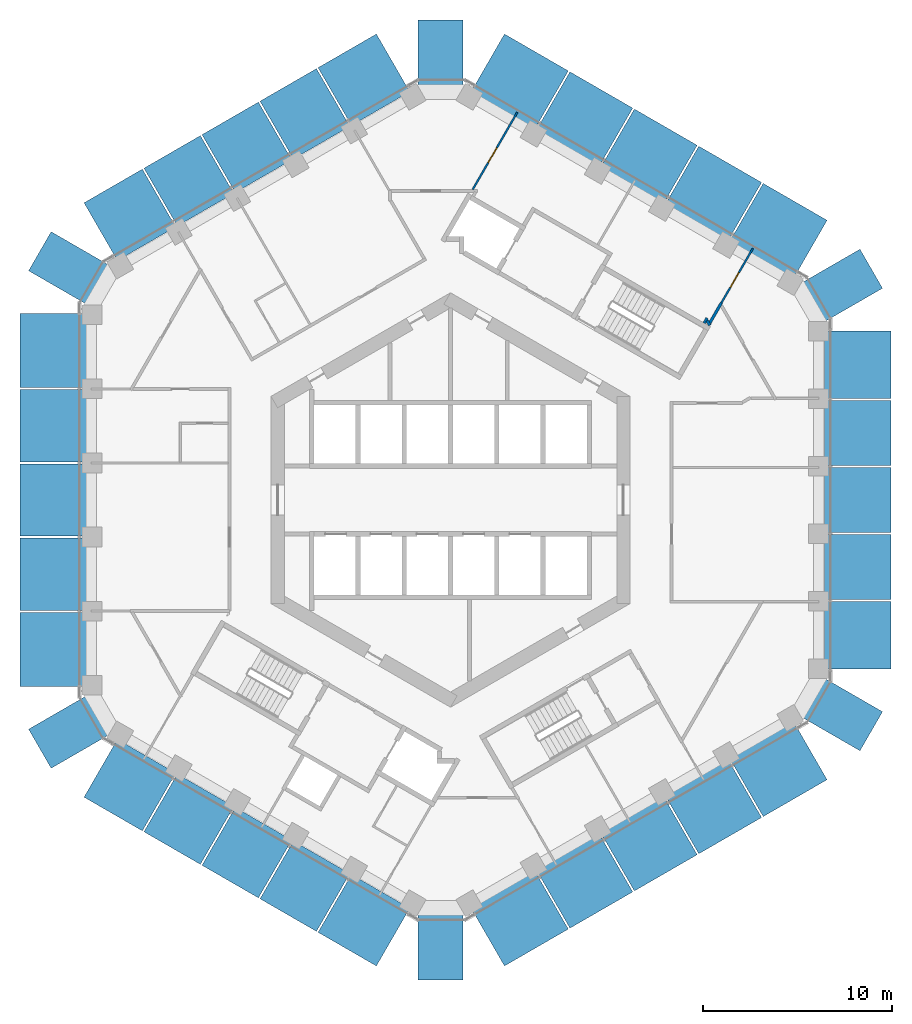
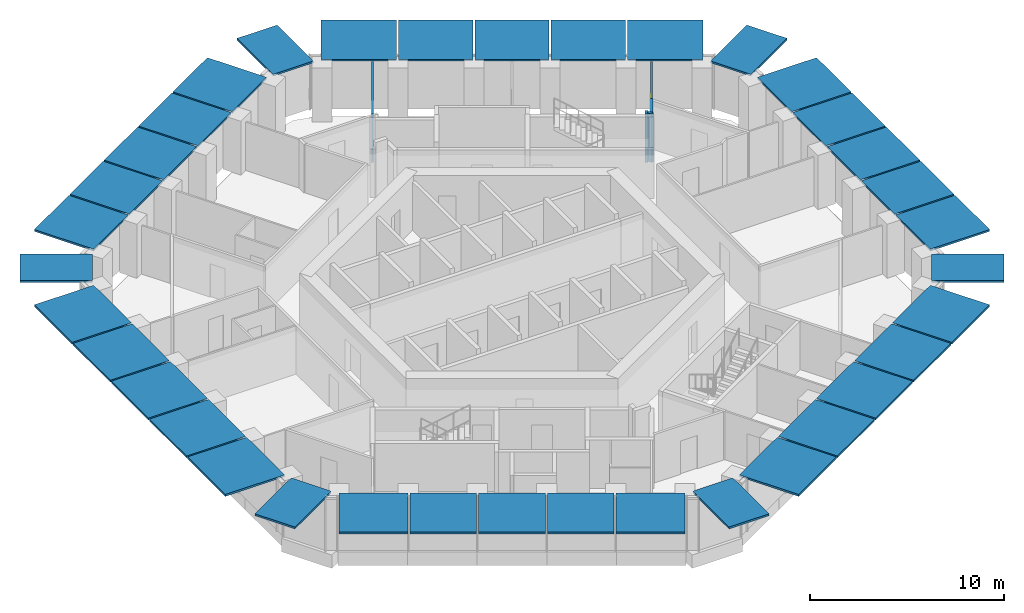
# One storey, part 15 of 18: 36 discrete accessories, 5 walls, 2 doors, 2 openings.
"""IFC4 building model written with IfcOpenShell, lengths in metres."""

from ifc_helpers import new_model, si_unit, direction, frame, frame_2d, origin, origin_2d, place, context, subcontext, project, spatial, rectangle, extrude, material, layer, layer_set, type_object, element, fill, save


model = new_model("IFC4")

# Units and contexts
model_context = context("Model", 3, precision=1e-05, world=origin(), true_north=direction((0.0, 1.0)))
body_context = subcontext(model_context, "Body", "Model", "MODEL_VIEW")
ifc_project = project(units=[si_unit("LENGTHUNIT", "METRE"), si_unit("AREAUNIT", "SQUARE_METRE"), si_unit("VOLUMEUNIT", "CUBIC_METRE"), si_unit("PLANEANGLEUNIT", "RADIAN"), si_unit("MASSUNIT", "GRAM", prefix="KILO")], contexts=[model_context])

# Site, building, storey
site_placement = place(None, origin())
site = spatial("IfcSite", under=ifc_project, at=site_placement, CompositionType="ELEMENT")
building_placement = place(site_placement, origin())
building = spatial("IfcBuilding", under=site, at=building_placement, Name="Ayvan Gate Tower", CompositionType="ELEMENT")
storey_placement = place(building_placement, frame((0.0, 0.0, 110.300048828125)))
storey = spatial("IfcBuildingStorey", under=building, at=storey_placement, Name="L29", CompositionType="ELEMENT", Elevation=110.300048828125)

# Walls
ifc_material_1 = material(Name="Plasterboard on steel stud", Category="steel")
ifc_layer_1 = layer(ifc_material_1, 0.14990234375)
ifc_layer_set_1 = layer_set([ifc_layer_1], Name="Plasterboard on steel stud")
wall_type_1 = type_object("IfcWallType", Name="WT-CORR-150", PredefinedType="PARTITIONING", material=ifc_layer_set_1)
wall_1_placement = place(storey_placement, frame((13.431396484375, 9.36376953125, 0.0), z_axis=(0.0, 0.0, 1.0), x_axis=(0.49995513091, 0.866051307416, 0.0)))
element("IfcWall", 1, at=wall_1_placement, inside=storey, type_object=wall_type_1, Name="IW-L29-102", PredefinedType="PARTITIONING", context=body_context, shape_type="SweptSolid", body=[
    extrude(rectangle(XDim=0.302734375, YDim=0.14990234375, at=frame_2d((0.1513671875, 0.0))), origin(), (0.0, 0.0, 1.0), 3.050048828125),
])
wall_2_placement = place(storey_placement, frame((13.582763671875, 9.49609375, 0.0), z_axis=(0.0, 0.0, 1.0), x_axis=(0.499868889286, -0.866101087359, 0.0)))
element("IfcWall", 2, at=wall_2_placement, inside=storey, type_object=wall_type_1, Name="IW-L29-103", PredefinedType="PARTITIONING", context=body_context, shape_type="SweptSolid", body=[
    extrude(rectangle(XDim=0.28857421875, YDim=0.14990234375, at=frame_2d((0.144287109375, 0.0))), origin(), (0.0, 0.0, 1.0), 3.050048828125),
])
wall_3_placement = place(storey_placement, frame((13.72705078125, 9.3759765625, 0.0), z_axis=(0.0, 0.0, 1.0), x_axis=(0.500012742938, 0.866018046521, 0.0)))
element("IfcWall", 3, at=wall_3_placement, inside=storey, type_object=wall_type_1, Name="IW-L29-105", PredefinedType="PARTITIONING", context=body_context, shape_type="SweptSolid", body=[
    extrude(rectangle(XDim=1.21337890625, YDim=0.14990234375, at=frame_2d((0.606689453125, 0.0))), origin(), (0.0, 0.0, 1.0), 3.050048828125),
])

# Wall, opening, door
ifc_layer_2 = layer(ifc_material_1, 0.10009765625)
ifc_layer_set_2 = layer_set([ifc_layer_2], Name="Plasterboard on steel stud")
wall_type_2 = type_object("IfcWallType", Name="WT-PART-100", PredefinedType="PARTITIONING", material=ifc_layer_set_2)
wall_4_placement = place(storey_placement, frame((3.530517578125, 20.514892578125, 0.0), z_axis=(0.0, 0.0, 1.0), x_axis=(-0.500022469165, -0.866012430818, 0.0)))
wall_4 = element("IfcWall", 4, at=wall_4_placement, inside=storey, type_object=wall_type_2, Name="IW-L29-074", PredefinedType="PARTITIONING", context=body_context, shape_type="SweptSolid", body=[
    extrude(rectangle(XDim=4.719482421875, YDim=0.10009765625, at=frame_2d((2.35986328125, 0.0))), origin(), (0.0, 0.0, 1.0), 3.050048828125),
])
opening_1_placement = place(wall_4_placement, frame((2.17041015625, 0.0, 0.0)))
opening_1 = element("IfcOpeningElement", 5, at=opening_1_placement, cuts=wall_4, Name="Opening L29-D22", PredefinedType="OPENING", context=body_context, shape_type="SweptSolid", body=[
    extrude(rectangle(XDim=0.89990234375, YDim=2.10009765625, at=frame_2d((0.449951171875, 1.050048828125))), frame((0.0, 0.06005859375, 0.0), z_axis=(0.0, -1.0, 0.0), x_axis=(1.0, 0.0, 0.0)), (0.0, 0.0, 1.0), 0.1201171875),
])
ifc_material_2 = material(Name="Timber door leaf", Category="wood")
door_type = type_object("IfcDoorType", Name="DT-900", OperationType="NOTDEFINED", PredefinedType="DOOR", material=ifc_material_2)
door_1_placement = place(opening_1_placement, origin())
door_1 = element("IfcDoor", 6, at=door_1_placement, inside=storey, type_object=door_type, Name="ID-L29-022", OperationType="SINGLE_SWING_LEFT", OverallHeight=2.10009765625, OverallWidth=0.89990234375, PredefinedType="DOOR", context=body_context, shape_type="SweptSolid", body=[
    extrude(rectangle(XDim=0.89990234375, YDim=2.10009765625, at=frame_2d((0.449951171875, 1.050048828125))), frame((0.0, 0.02490234375, 0.0), z_axis=(0.0, -1.0, 0.0), x_axis=(1.0, 0.0, 0.0)), (0.0, 0.0, 1.0), 0.050048828125),
])
fill(opening_1, door_1)

wall_5_placement = place(storey_placement, frame((14.333740234375, 10.4267578125, 0.0), z_axis=(0.0, 0.0, 1.0), x_axis=(0.499997052475, 0.866027105532, 0.0)))
wall_5 = element("IfcWall", 7, at=wall_5_placement, inside=storey, type_object=wall_type_2, Name="IW-L29-106", PredefinedType="PARTITIONING", context=body_context, shape_type="SweptSolid", body=[
    extrude(rectangle(XDim=3.3349609375, YDim=0.10009765625, at=frame_2d((1.66748046875, 0.0))), origin(), (0.0, 0.0, 1.0), 3.050048828125),
])
opening_2_placement = place(wall_5_placement, frame((0.95703125, 0.0, 0.0)))
opening_2 = element("IfcOpeningElement", 8, at=opening_2_placement, cuts=wall_5, Name="Opening L29-D20", PredefinedType="OPENING", context=body_context, shape_type="SweptSolid", body=[
    extrude(rectangle(XDim=0.89990234375, YDim=2.10009765625, at=frame_2d((0.449951171875, 1.050048828125))), frame((0.0, 0.06005859375, 0.0), z_axis=(0.0, -1.0, 0.0), x_axis=(1.0, 0.0, 0.0)), (0.0, 0.0, 1.0), 0.1201171875),
])
door_2_placement = place(opening_2_placement, origin())
door_2 = element("IfcDoor", 9, at=door_2_placement, inside=storey, type_object=door_type, Name="ID-L29-020", OperationType="SINGLE_SWING_LEFT", OverallHeight=2.10009765625, OverallWidth=0.89990234375, PredefinedType="DOOR", context=body_context, shape_type="SweptSolid", body=[
    extrude(rectangle(XDim=0.89990234375, YDim=2.10009765625, at=frame_2d((0.449951171875, 1.050048828125))), frame((0.0, 0.02490234375, 0.0), z_axis=(0.0, -1.0, 0.0), x_axis=(1.0, 0.0, 0.0)), (0.0, 0.0, 1.0), 0.050048828125),
])
fill(opening_2, door_2)

# Discrete accessories
ifc_material_3 = material(Name="Stainless steel 316", Category="steel")
ifc_layer_3 = layer(ifc_material_3, 0.1201171875)
ifc_layer_set_3 = layer_set([ifc_layer_3], Name="Stainless steel 316")
discrete_accessory_type = type_object("IfcDiscreteAccessoryType", Name="Fin carrier bracket", PredefinedType="BRACKET", material=ifc_layer_set_3)
discrete_accessory_1_placement = place(storey_placement, frame((-21.01904296875, -7.907470703125, 3.27978515625), z_axis=(0.0, 0.0, 1.0), x_axis=(0.0, -1.0, 0.0)))
element("IfcDiscreteAccessory", 10, at=discrete_accessory_1_placement, inside=storey, type_object=discrete_accessory_type, Name="Fin carrier 60", PredefinedType="BRACKET", context=body_context, shape_type="SweptSolid", body=[
    extrude(rectangle(XDim=3.902099609375, YDim=3.53515625, at=origin_2d()), origin(), (0.0, 0.0, 1.0), 0.1201171875),
])
discrete_accessory_2_placement = place(storey_placement, frame((-21.01904296875, -3.9375, 3.27978515625), z_axis=(0.0, 0.0, 1.0), x_axis=(0.0, -1.0, 0.0)))
element("IfcDiscreteAccessory", 11, at=discrete_accessory_2_placement, inside=storey, type_object=discrete_accessory_type, Name="Fin carrier 65", PredefinedType="BRACKET", context=body_context, shape_type="SweptSolid", body=[
    extrude(rectangle(XDim=3.837890625, YDim=3.53515625, at=origin_2d()), origin(), (0.0, 0.0, 1.0), 0.1201171875),
])
for number, where, z_axis, x_axis, name in (
    (12, (-21.01904296875, 0.0, 3.27978515625), (0.0, 0.0, 1.0), (0.0, -1.0, 0.0), "Fin carrier 70"),
    (13, (-21.01904296875, 3.93701171875, 3.27978515625), (0.0, 0.0, 1.0), (0.0, -1.0, 0.0), "Fin carrier 75"),
):
    element("IfcDiscreteAccessory", number, at=place(storey_placement, frame(where, z_axis=z_axis, x_axis=x_axis)), inside=storey, type_object=discrete_accessory_type, Name=name, PredefinedType="BRACKET", context=body_context, shape_type="SweptSolid", body=[
        extrude(rectangle(XDim=3.8369140625, YDim=3.53515625, at=origin_2d()), origin(), (0.0, 0.0, 1.0), 0.1201171875),
    ])
discrete_accessory_3_placement = place(storey_placement, frame((-21.01904296875, 7.9072265625, 3.27978515625), z_axis=(0.0, 0.0, 1.0), x_axis=(0.0, -1.0, 0.0)))
element("IfcDiscreteAccessory", 14, at=discrete_accessory_3_placement, inside=storey, type_object=discrete_accessory_type, Name="Fin carrier 80", PredefinedType="BRACKET", context=body_context, shape_type="SweptSolid", body=[
    extrude(rectangle(XDim=3.903076171875, YDim=3.53515625, at=origin_2d()), origin(), (0.0, 0.0, 1.0), 0.1201171875),
])
for number, where, z_axis, x_axis, name in (
    (15, (-20.115966796875, -12.230712890625, 3.27978515625), (0.0, 0.0, 1.0), (0.5, -0.866025403784, 0.0), "Fin carrier 88"),
    (16, (-20.115966796875, 12.230712890625, 3.27978515625), (0.0, 0.0, 1.0), (-0.5, -0.866025403784, 0.0), "Fin carrier 96"),
):
    element("IfcDiscreteAccessory", number, at=place(storey_placement, frame(where, z_axis=z_axis, x_axis=x_axis)), inside=storey, type_object=discrete_accessory_type, Name=name, PredefinedType="BRACKET", context=body_context, shape_type="SweptSolid", body=[
        extrude(rectangle(XDim=2.386474609375, YDim=3.739013671875, at=origin_2d()), origin(), (0.0, 0.0, 1.0), 0.1201171875),
    ])
for number, where, z_axis, x_axis, name in (
    (17, (-16.970458984375, -15.089599609375, 3.27978515625), (0.0, 0.0, 1.0), (0.866025403784, -0.5, 0.0), "Fin carrier 209"),
    (18, (-16.970458984375, 15.089599609375, 3.27978515625), (0.0, 0.0, 1.0), (-0.866025403784, -0.5, 0.0), "Fin carrier 214"),
):
    element("IfcDiscreteAccessory", number, at=place(storey_placement, frame(where, z_axis=z_axis, x_axis=x_axis)), inside=storey, type_object=discrete_accessory_type, Name=name, PredefinedType="BRACKET", context=body_context, shape_type="SweptSolid", body=[
        extrude(rectangle(XDim=3.56298828125, YDim=3.53515625, at=origin_2d()), origin(), (0.0, 0.0, 1.0), 0.1201171875),
    ])
for number, where, z_axis, x_axis, name in (
    (19, (-13.848388671875, -16.89208984375, 3.27978515625), (0.0, 0.0, 1.0), (0.866025403784, -0.5, 0.0), "Fin carrier 272"),
    (20, (-13.848388671875, 16.89208984375, 3.27978515625), (0.0, 0.0, 1.0), (-0.866025403784, -0.5, 0.0), "Fin carrier 276"),
    (21, (-10.776611328125, -18.66552734375, 3.27978515625), (0.0, 0.0, 1.0), (0.866025403784, -0.5, 0.0), "Fin carrier 330"),
    (22, (-10.776611328125, 18.66552734375, 3.27978515625), (0.0, 0.0, 1.0), (-0.866025403784, -0.5, 0.0), "Fin carrier 338"),
    (23, (-7.704833984375, -20.439208984375, 3.27978515625), (0.0, 0.0, 1.0), (0.866025403784, -0.5, 0.0), "Fin carrier 391"),
    (24, (-7.704833984375, 20.439208984375, 3.27978515625), (0.0, 0.0, 1.0), (-0.866025403784, -0.5, 0.0), "Fin carrier 401"),
):
    element("IfcDiscreteAccessory", number, at=place(storey_placement, frame(where, z_axis=z_axis, x_axis=x_axis)), inside=storey, type_object=discrete_accessory_type, Name=name, PredefinedType="BRACKET", context=body_context, shape_type="SweptSolid", body=[
        extrude(rectangle(XDim=3.447021484375, YDim=3.53515625, at=origin_2d()), origin(), (0.0, 0.0, 1.0), 0.1201171875),
    ])
for number, where, z_axis, x_axis, name in (
    (25, (-4.582763671875, -22.24169921875, 3.27978515625), (0.0, 0.0, 1.0), (0.866025403784, -0.5, 0.0), "Fin carrier 446"),
    (26, (-4.582763671875, 22.24169921875, 3.27978515625), (0.0, 0.0, 1.0), (-0.866025403784, -0.5, 0.0), "Fin carrier 456"),
):
    element("IfcDiscreteAccessory", number, at=place(storey_placement, frame(where, z_axis=z_axis, x_axis=x_axis)), inside=storey, type_object=discrete_accessory_type, Name=name, PredefinedType="BRACKET", context=body_context, shape_type="SweptSolid", body=[
        extrude(rectangle(XDim=3.56298828125, YDim=3.53515625, at=origin_2d()), origin(), (0.0, 0.0, 1.0), 0.1201171875),
    ])
for number, where, z_axis, x_axis, name in (
    (27, (-0.5341796875, -23.536376953125, 3.27978515625), (0.0, 0.0, 1.0), (1.0, 0.0, 0.0), "Fin carrier 514"),
    (28, (-0.5341796875, 23.536376953125, 3.27978515625), (0.0, 0.0, 1.0), (-1.0, 0.0, 0.0), "Fin carrier 519"),
):
    element("IfcDiscreteAccessory", number, at=place(storey_placement, frame(where, z_axis=z_axis, x_axis=x_axis)), inside=storey, type_object=discrete_accessory_type, Name=name, PredefinedType="BRACKET", context=body_context, shape_type="SweptSolid", body=[
        extrude(rectangle(XDim=2.386474609375, YDim=3.739013671875, at=origin_2d()), origin(), (0.0, 0.0, 1.0), 0.1201171875),
    ])
discrete_accessory_4_placement = place(storey_placement, frame((3.661865234375, -22.156494140625, 3.27978515625), z_axis=(0.0, 0.0, 1.0), x_axis=(0.866025403784, 0.5, 0.0)))
element("IfcDiscreteAccessory", 29, at=discrete_accessory_4_placement, inside=storey, type_object=discrete_accessory_type, Name="Fin carrier 571", PredefinedType="BRACKET", context=body_context, shape_type="SweptSolid", body=[
    extrude(rectangle(XDim=3.903076171875, YDim=3.53515625, at=origin_2d()), origin(), (0.0, 0.0, 1.0), 0.1201171875),
])
discrete_accessory_5_placement = place(storey_placement, frame((3.661376953125, 22.15673828125, 3.27978515625), z_axis=(0.0, 0.0, 1.0), x_axis=(-0.866025403784, 0.5, 0.0)))
element("IfcDiscreteAccessory", 30, at=discrete_accessory_5_placement, inside=storey, type_object=discrete_accessory_type, Name="Fin carrier 584", PredefinedType="BRACKET", context=body_context, shape_type="SweptSolid", body=[
    extrude(rectangle(XDim=3.902099609375, YDim=3.53515625, at=origin_2d()), origin(), (0.0, 0.0, 1.0), 0.1201171875),
])
discrete_accessory_6_placement = place(storey_placement, frame((7.099853515625, -20.171630859375, 3.27978515625), z_axis=(0.0, 0.0, 1.0), x_axis=(0.866025403784, 0.5, 0.0)))
element("IfcDiscreteAccessory", 31, at=discrete_accessory_6_placement, inside=storey, type_object=discrete_accessory_type, Name="Fin carrier 641", PredefinedType="BRACKET", context=body_context, shape_type="SweptSolid", body=[
    extrude(rectangle(XDim=3.8369140625, YDim=3.53515625, at=origin_2d()), origin(), (0.0, 0.0, 1.0), 0.1201171875),
])
discrete_accessory_7_placement = place(storey_placement, frame((7.099609375, 20.171875, 3.27978515625), z_axis=(0.0, 0.0, 1.0), x_axis=(-0.866025403784, 0.5, 0.0)))
element("IfcDiscreteAccessory", 32, at=discrete_accessory_7_placement, inside=storey, type_object=discrete_accessory_type, Name="Fin carrier 647", PredefinedType="BRACKET", context=body_context, shape_type="SweptSolid", body=[
    extrude(rectangle(XDim=3.837890625, YDim=3.53515625, at=origin_2d()), origin(), (0.0, 0.0, 1.0), 0.1201171875),
])
for number, where, z_axis, x_axis, name in (
    (33, (10.509521484375, -18.203125, 3.27978515625), (0.0, 0.0, 1.0), (0.866025403784, 0.5, 0.0), "Fin carrier 704"),
    (34, (10.509521484375, 18.203125, 3.27978515625), (0.0, 0.0, 1.0), (-0.866025403784, 0.5, 0.0), "Fin carrier 707"),
):
    element("IfcDiscreteAccessory", number, at=place(storey_placement, frame(where, z_axis=z_axis, x_axis=x_axis)), inside=storey, type_object=discrete_accessory_type, Name=name, PredefinedType="BRACKET", context=body_context, shape_type="SweptSolid", body=[
        extrude(rectangle(XDim=3.8369140625, YDim=3.53515625, at=origin_2d()), origin(), (0.0, 0.0, 1.0), 0.1201171875),
    ])
discrete_accessory_8_placement = place(storey_placement, frame((13.91943359375, -16.234375, 3.27978515625), z_axis=(0.0, 0.0, 1.0), x_axis=(0.866025403784, 0.5, 0.0)))
element("IfcDiscreteAccessory", 35, at=discrete_accessory_8_placement, inside=storey, type_object=discrete_accessory_type, Name="Fin carrier 757", PredefinedType="BRACKET", context=body_context, shape_type="SweptSolid", body=[
    extrude(rectangle(XDim=3.837890625, YDim=3.53515625, at=origin_2d()), origin(), (0.0, 0.0, 1.0), 0.1201171875),
])
discrete_accessory_9_placement = place(storey_placement, frame((13.919189453125, 16.234619140625, 3.27978515625), z_axis=(0.0, 0.0, 1.0), x_axis=(-0.866025403784, 0.5, 0.0)))
element("IfcDiscreteAccessory", 36, at=discrete_accessory_9_placement, inside=storey, type_object=discrete_accessory_type, Name="Fin carrier 763", PredefinedType="BRACKET", context=body_context, shape_type="SweptSolid", body=[
    extrude(rectangle(XDim=3.8369140625, YDim=3.53515625, at=origin_2d()), origin(), (0.0, 0.0, 1.0), 0.1201171875),
])
discrete_accessory_10_placement = place(storey_placement, frame((17.357666015625, -14.249267578125, 3.27978515625), z_axis=(0.0, 0.0, 1.0), x_axis=(0.866025403784, 0.5, 0.0)))
element("IfcDiscreteAccessory", 37, at=discrete_accessory_10_placement, inside=storey, type_object=discrete_accessory_type, Name="Fin carrier 820", PredefinedType="BRACKET", context=body_context, shape_type="SweptSolid", body=[
    extrude(rectangle(XDim=3.902099609375, YDim=3.53515625, at=origin_2d()), origin(), (0.0, 0.0, 1.0), 0.1201171875),
])
discrete_accessory_11_placement = place(storey_placement, frame((17.357177734375, 14.24951171875, 3.27978515625), z_axis=(0.0, 0.0, 1.0), x_axis=(-0.866025403784, 0.5, 0.0)))
element("IfcDiscreteAccessory", 38, at=discrete_accessory_11_placement, inside=storey, type_object=discrete_accessory_type, Name="Fin carrier 827", PredefinedType="BRACKET", context=body_context, shape_type="SweptSolid", body=[
    extrude(rectangle(XDim=3.903076171875, YDim=3.53515625, at=origin_2d()), origin(), (0.0, 0.0, 1.0), 0.1201171875),
])
for number, where, z_axis, x_axis, name in (
    (39, (20.650146484375, -11.3056640625, 3.27978515625), (0.0, 0.0, 1.0), (0.5, 0.866025403784, 0.0), "Fin carrier 952"),
    (40, (20.650146484375, 11.3056640625, 3.27978515625), (0.0, 0.0, 1.0), (-0.5, 0.866025403784, 0.0), "Fin carrier 955"),
):
    element("IfcDiscreteAccessory", number, at=place(storey_placement, frame(where, z_axis=z_axis, x_axis=x_axis)), inside=storey, type_object=discrete_accessory_type, Name=name, PredefinedType="BRACKET", context=body_context, shape_type="SweptSolid", body=[
        extrude(rectangle(XDim=2.386474609375, YDim=3.739013671875, at=origin_2d()), origin(), (0.0, 0.0, 1.0), 0.1201171875),
    ])
discrete_accessory_12_placement = place(storey_placement, frame((21.55322265625, -7.152099609375, 3.27978515625), z_axis=(0.0, 0.0, 1.0), x_axis=(0.0, 1.0, 0.0)))
element("IfcDiscreteAccessory", 41, at=discrete_accessory_12_placement, inside=storey, type_object=discrete_accessory_type, Name="Fin carrier 962", PredefinedType="BRACKET", context=body_context, shape_type="SweptSolid", body=[
    extrude(rectangle(XDim=3.56298828125, YDim=3.53515625, at=origin_2d()), origin(), (0.0, 0.0, 1.0), 0.1201171875),
])
for number, where, z_axis, x_axis, name in (
    (42, (21.55322265625, -3.546875, 3.27978515625), (0.0, 0.0, 1.0), (0.0, 1.0, 0.0), "Fin carrier 968"),
    (43, (21.55322265625, 0.0, 3.27978515625), (0.0, 0.0, 1.0), (0.0, 1.0, 0.0), "Fin carrier 974"),
    (44, (21.55322265625, 3.547119140625, 3.27978515625), (0.0, 0.0, 1.0), (0.0, 1.0, 0.0), "Fin carrier 979"),
):
    element("IfcDiscreteAccessory", number, at=place(storey_placement, frame(where, z_axis=z_axis, x_axis=x_axis)), inside=storey, type_object=discrete_accessory_type, Name=name, PredefinedType="BRACKET", context=body_context, shape_type="SweptSolid", body=[
        extrude(rectangle(XDim=3.447021484375, YDim=3.53515625, at=origin_2d()), origin(), (0.0, 0.0, 1.0), 0.1201171875),
    ])
discrete_accessory_13_placement = place(storey_placement, frame((21.55322265625, 7.152099609375, 3.27978515625), z_axis=(0.0, 0.0, 1.0), x_axis=(0.0, 1.0, 0.0)))
element("IfcDiscreteAccessory", 45, at=discrete_accessory_13_placement, inside=storey, type_object=discrete_accessory_type, Name="Fin carrier 984", PredefinedType="BRACKET", context=body_context, shape_type="SweptSolid", body=[
    extrude(rectangle(XDim=3.56298828125, YDim=3.53515625, at=origin_2d()), origin(), (0.0, 0.0, 1.0), 0.1201171875),
])

save(model, "model.ifc")
